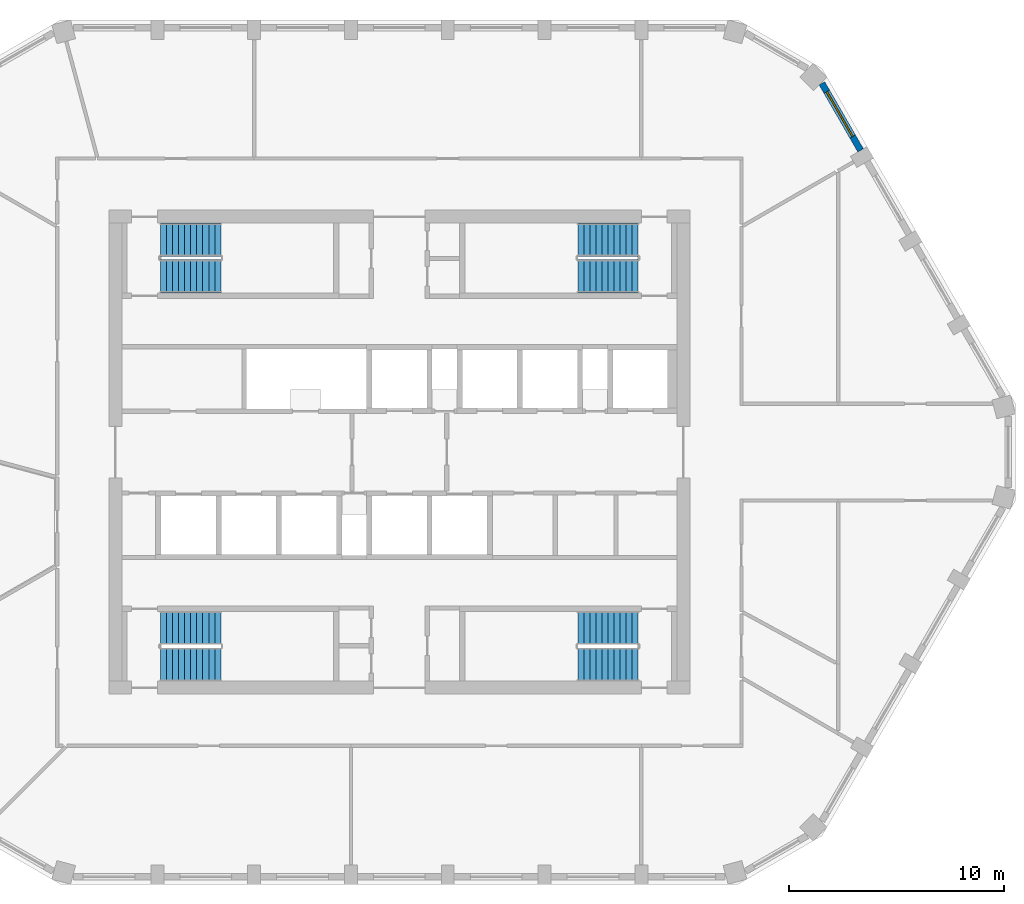
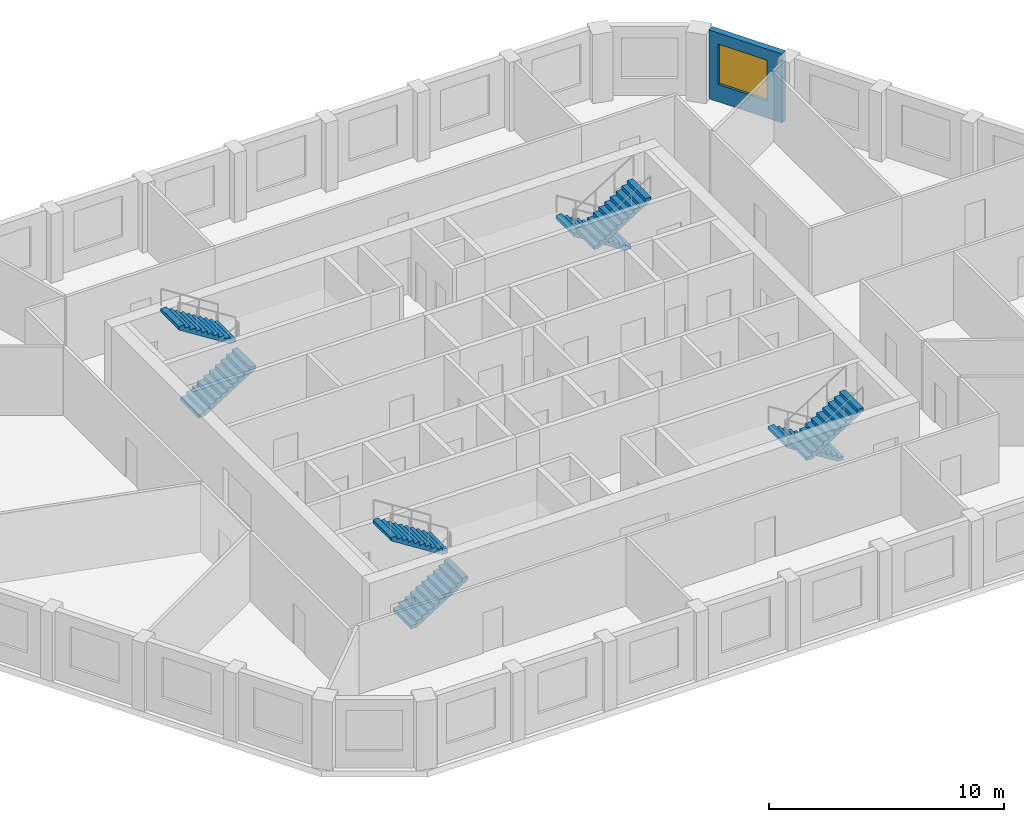
# One storey, part 7 of 9: 8 stair flights, 1 wall, 1 window, 1 opening, 4 elements without a shape of their own.
"""IFC4 building model written with IfcOpenShell, lengths in metres."""

from ifc_helpers import new_model, si_unit, direction, frame, frame_2d, origin, place, context, subcontext, project, spatial, polyline, rectangle, outline, extrude, material, layer, layer_set, type_object, element, fill, aggregate, save


model = new_model("IFC4")

# Units and contexts
model_context = context("Model", 3, precision=1e-05, world=origin(), true_north=direction((0.0, 1.0)))
body_context = subcontext(model_context, "Body", "Model", "MODEL_VIEW")
ifc_project = project(units=[si_unit("LENGTHUNIT", "METRE"), si_unit("AREAUNIT", "SQUARE_METRE"), si_unit("VOLUMEUNIT", "CUBIC_METRE"), si_unit("PLANEANGLEUNIT", "RADIAN"), si_unit("MASSUNIT", "GRAM", prefix="KILO")], contexts=[model_context])

# Site, building, storey
site_placement = place(None, origin())
site = spatial("IfcSite", under=ifc_project, at=site_placement, CompositionType="ELEMENT")
building_placement = place(site_placement, origin())
building = spatial("IfcBuilding", under=site, at=building_placement, Name="Dhurran Vertical Campus", CompositionType="ELEMENT")
storey_placement = place(building_placement, frame((0.0, 0.0, 294.300048828125)))
storey = spatial("IfcBuildingStorey", under=building, at=storey_placement, Name="L73", CompositionType="ELEMENT", Elevation=294.300048828125)

# Wall, opening, window
ifc_material_1 = material(Name="Precast concrete C50/60", Category="concrete")
ifc_layer = layer(ifc_material_1, 0.300048828125)
ifc_layer_set = layer_set([ifc_layer], Name="Precast concrete C50/60")
wall_type = type_object("IfcWallType", Name="Precast spandrel wall 300", PredefinedType="SOLIDWALL", material=ifc_layer_set)
wall_placement = place(storey_placement, frame((21.44384765625, 14.026611328125, 0.0), z_axis=(0.0, 0.0, 1.0), x_axis=(-0.50001992892, 0.866013897511, 0.0)))
wall = element("IfcWall", 1, at=wall_placement, inside=storey, type_object=wall_type, Name="EW1 L73.16", PredefinedType="SOLIDWALL", context=body_context, shape_type="SweptSolid", body=[
    extrude(rectangle(XDim=3.599365234375, YDim=0.300048828125, at=frame_2d((1.7998046875, 0.0))), origin(), (0.0, 0.0, 1.0), 3.574951171875),
])
opening_placement = place(wall_placement, frame((0.74951171875, 0.0, 0.89990234375)))
opening = element("IfcOpeningElement", 2, at=opening_placement, cuts=wall, Name="Opening WT1", PredefinedType="OPENING", context=body_context, shape_type="SweptSolid", body=[
    extrude(rectangle(XDim=2.39990234375, YDim=2.10009765625, at=frame_2d((1.199951171875, 1.050048828125))), frame((0.0, 0.159912109375, 0.0), z_axis=(0.0, -1.0, 0.0), x_axis=(1.0, 0.0, 0.0)), (0.0, 0.0, 1.0), 0.320068359375),
])
ifc_material_2 = material(Name="Aluminium frame with solar-control glass", Category="aluminium")
window_type = type_object("IfcWindowType", Name="Punched window 2400 x 2100", PartitioningType="SINGLE_PANEL", PredefinedType="WINDOW", material=ifc_material_2)
window_placement = place(opening_placement, origin())
window = element("IfcWindow", 3, at=window_placement, inside=storey, type_object=window_type, Name="WT1 L73.16", OverallHeight=2.10009765625, OverallWidth=2.39990234375, PartitioningType="SINGLE_PANEL", PredefinedType="WINDOW", context=body_context, shape_type="SweptSolid", body=[
    extrude(rectangle(XDim=2.39990234375, YDim=2.10009765625, at=frame_2d((1.199951171875, 1.050048828125))), frame((0.0, 0.030029296875, 0.0), z_axis=(0.0, -1.0, 0.0), x_axis=(1.0, 0.0, 0.0)), (0.0, 0.0, 1.0), 0.06005859375),
])
fill(opening, window)

# Stair, stair flights
ifc_material_3 = material(Name="Concrete C40/50", Category="concrete")
stair_type = type_object("IfcStairType", Name="co-ST-CORE", PredefinedType="HALF_TURN_STAIR", material=ifc_material_3)
stair_1_placement = place(storey_placement, origin())
stair_1 = element("IfcStair", 4, at=stair_1_placement, inside=storey, type_object=stair_type, Name="L73 Protected exit stair ST1", PredefinedType="HALF_TURN_STAIR")
ifc_material_4 = material(Name="Concrete C40/50", Category="concrete")
stair_flight_type = type_object("IfcStairFlightType", Name="co-SFL-RC", PredefinedType="STRAIGHT", material=ifc_material_4)
stair_flight_1_placement = place(storey_placement, frame((-11.10009765625, 8.175048828125, 0.0), z_axis=(0.0, 0.0, 1.0), x_axis=(1.0, 0.0, 0.0)))
stair_flight_1 = element("IfcStairFlight", 5, at=stair_flight_1_placement, type_object=stair_flight_type, Name="ST1 flight 1", NumberOfRisers=11, NumberOfTreads=10, PredefinedType="STRAIGHT", RiserHeight=0.177272727, TreadLength=0.28, context=body_context, shape_type="SweptSolid", body=[
    extrude(outline(polyline([(0.0, 0.0), (0.0, 0.17724609375), (0.280029296875, 0.17724609375), (0.280029296875, 0.3544921875), (0.56005859375, 0.3544921875), (0.56005859375, 0.53173828125), (0.840087890625, 0.53173828125), (0.840087890625, 0.708984375), (1.1201171875, 0.708984375), (1.1201171875, 0.886474609375), (1.39990234375, 0.886474609375), (1.39990234375, 1.063720703125), (1.679931640625, 1.063720703125), (1.679931640625, 1.240966796875), (1.9599609375, 1.240966796875), (1.9599609375, 1.418212890625), (2.239990234375, 1.418212890625), (2.239990234375, 1.595458984375), (2.52001953125, 1.595458984375), (2.52001953125, 1.772705078125), (2.800048828125, 1.772705078125), (2.800048828125, 1.949951171875), (2.800048828125, 1.59521484375), (0.2802734375, 0.0), (0.0, 0.0)])), frame((0.0, 0.77490234375, 0.0), z_axis=(0.0, -1.0, 0.0), x_axis=(1.0, 0.0, 0.0)), (0.0, 0.0, 1.0), 1.550048828125),
])
stair_flight_2_placement = place(storey_placement, frame((-8.300048828125, 9.875, 1.949951171875), z_axis=(0.0, 0.0, 1.0), x_axis=(-1.0, 0.0, 0.0)))
stair_flight_2 = element("IfcStairFlight", 6, at=stair_flight_2_placement, type_object=stair_flight_type, Name="ST1 flight 2", NumberOfRisers=11, NumberOfTreads=10, PredefinedType="STRAIGHT", RiserHeight=0.177272727, TreadLength=0.28, context=body_context, shape_type="SweptSolid", body=[
    extrude(outline(polyline([(0.0, 0.0), (0.0, 0.17724609375), (0.280029296875, 0.17724609375), (0.280029296875, 0.3544921875), (0.56005859375, 0.3544921875), (0.56005859375, 0.53173828125), (0.840087890625, 0.53173828125), (0.840087890625, 0.708984375), (1.1201171875, 0.708984375), (1.1201171875, 0.886474609375), (1.39990234375, 0.886474609375), (1.39990234375, 1.063720703125), (1.679931640625, 1.063720703125), (1.679931640625, 1.240966796875), (1.9599609375, 1.240966796875), (1.9599609375, 1.418212890625), (2.239990234375, 1.418212890625), (2.239990234375, 1.595458984375), (2.52001953125, 1.595458984375), (2.52001953125, 1.772705078125), (2.800048828125, 1.772705078125), (2.800048828125, 1.949951171875), (2.800048828125, 1.59521484375), (0.2802734375, 0.0), (0.0, 0.0)])), frame((0.0, 0.77490234375, 0.0), z_axis=(0.0, -1.0, 0.0), x_axis=(1.0, 0.0, 0.0)), (0.0, 0.0, 1.0), 1.550048828125),
])
aggregate(stair_1, [stair_flight_1, stair_flight_2])

stair_2_placement = place(storey_placement, origin())
stair_2 = element("IfcStair", 7, at=stair_2_placement, inside=storey, type_object=stair_type, Name="L73 Protected exit stair ST2", PredefinedType="HALF_TURN_STAIR")
stair_flight_3_placement = place(storey_placement, frame((11.10009765625, 9.875, 0.0), z_axis=(0.0, 0.0, 1.0), x_axis=(-1.0, 0.0, 0.0)))
stair_flight_3 = element("IfcStairFlight", 8, at=stair_flight_3_placement, type_object=stair_flight_type, Name="ST2 flight 1", NumberOfRisers=11, NumberOfTreads=10, PredefinedType="STRAIGHT", RiserHeight=0.177272727, TreadLength=0.28, context=body_context, shape_type="SweptSolid", body=[
    extrude(outline(polyline([(0.0, 0.0), (0.0, 0.17724609375), (0.280029296875, 0.17724609375), (0.280029296875, 0.3544921875), (0.56005859375, 0.3544921875), (0.56005859375, 0.53173828125), (0.840087890625, 0.53173828125), (0.840087890625, 0.708984375), (1.1201171875, 0.708984375), (1.1201171875, 0.886474609375), (1.39990234375, 0.886474609375), (1.39990234375, 1.063720703125), (1.679931640625, 1.063720703125), (1.679931640625, 1.240966796875), (1.9599609375, 1.240966796875), (1.9599609375, 1.418212890625), (2.239990234375, 1.418212890625), (2.239990234375, 1.595458984375), (2.52001953125, 1.595458984375), (2.52001953125, 1.772705078125), (2.800048828125, 1.772705078125), (2.800048828125, 1.949951171875), (2.800048828125, 1.59521484375), (0.2802734375, 0.0), (0.0, 0.0)])), frame((0.0, 0.77490234375, 0.0), z_axis=(0.0, -1.0, 0.0), x_axis=(1.0, 0.0, 0.0)), (0.0, 0.0, 1.0), 1.550048828125),
])
stair_flight_4_placement = place(storey_placement, frame((8.300048828125, 8.175048828125, 1.949951171875), z_axis=(0.0, 0.0, 1.0), x_axis=(1.0, 0.0, 0.0)))
stair_flight_4 = element("IfcStairFlight", 9, at=stair_flight_4_placement, type_object=stair_flight_type, Name="ST2 flight 2", NumberOfRisers=11, NumberOfTreads=10, PredefinedType="STRAIGHT", RiserHeight=0.177272727, TreadLength=0.28, context=body_context, shape_type="SweptSolid", body=[
    extrude(outline(polyline([(0.0, 0.0), (0.0, 0.17724609375), (0.280029296875, 0.17724609375), (0.280029296875, 0.3544921875), (0.56005859375, 0.3544921875), (0.56005859375, 0.53173828125), (0.840087890625, 0.53173828125), (0.840087890625, 0.708984375), (1.1201171875, 0.708984375), (1.1201171875, 0.886474609375), (1.39990234375, 0.886474609375), (1.39990234375, 1.063720703125), (1.679931640625, 1.063720703125), (1.679931640625, 1.240966796875), (1.9599609375, 1.240966796875), (1.9599609375, 1.418212890625), (2.239990234375, 1.418212890625), (2.239990234375, 1.595458984375), (2.52001953125, 1.595458984375), (2.52001953125, 1.772705078125), (2.800048828125, 1.772705078125), (2.800048828125, 1.949951171875), (2.800048828125, 1.59521484375), (0.2802734375, 0.0), (0.0, 0.0)])), frame((0.0, 0.77490234375, 0.0), z_axis=(0.0, -1.0, 0.0), x_axis=(1.0, 0.0, 0.0)), (0.0, 0.0, 1.0), 1.550048828125),
])
aggregate(stair_2, [stair_flight_3, stair_flight_4])

stair_3_placement = place(storey_placement, origin())
stair_3 = element("IfcStair", 10, at=stair_3_placement, inside=storey, type_object=stair_type, Name="L73 Protected exit stair ST3", PredefinedType="HALF_TURN_STAIR")
stair_flight_5_placement = place(storey_placement, frame((-11.10009765625, -9.875, 0.0), z_axis=(0.0, 0.0, 1.0), x_axis=(1.0, 0.0, 0.0)))
stair_flight_5 = element("IfcStairFlight", 11, at=stair_flight_5_placement, type_object=stair_flight_type, Name="ST3 flight 1", NumberOfRisers=11, NumberOfTreads=10, PredefinedType="STRAIGHT", RiserHeight=0.177272727, TreadLength=0.28, context=body_context, shape_type="SweptSolid", body=[
    extrude(outline(polyline([(0.0, 0.0), (0.0, 0.17724609375), (0.280029296875, 0.17724609375), (0.280029296875, 0.3544921875), (0.56005859375, 0.3544921875), (0.56005859375, 0.53173828125), (0.840087890625, 0.53173828125), (0.840087890625, 0.708984375), (1.1201171875, 0.708984375), (1.1201171875, 0.886474609375), (1.39990234375, 0.886474609375), (1.39990234375, 1.063720703125), (1.679931640625, 1.063720703125), (1.679931640625, 1.240966796875), (1.9599609375, 1.240966796875), (1.9599609375, 1.418212890625), (2.239990234375, 1.418212890625), (2.239990234375, 1.595458984375), (2.52001953125, 1.595458984375), (2.52001953125, 1.772705078125), (2.800048828125, 1.772705078125), (2.800048828125, 1.949951171875), (2.800048828125, 1.59521484375), (0.2802734375, 0.0), (0.0, 0.0)])), frame((0.0, 0.77490234375, 0.0), z_axis=(0.0, -1.0, 0.0), x_axis=(1.0, 0.0, 0.0)), (0.0, 0.0, 1.0), 1.550048828125),
])
stair_flight_6_placement = place(storey_placement, frame((-8.300048828125, -8.175048828125, 1.949951171875), z_axis=(0.0, 0.0, 1.0), x_axis=(-1.0, 0.0, 0.0)))
stair_flight_6 = element("IfcStairFlight", 12, at=stair_flight_6_placement, type_object=stair_flight_type, Name="ST3 flight 2", NumberOfRisers=11, NumberOfTreads=10, PredefinedType="STRAIGHT", RiserHeight=0.177272727, TreadLength=0.28, context=body_context, shape_type="SweptSolid", body=[
    extrude(outline(polyline([(0.0, 0.0), (0.0, 0.17724609375), (0.280029296875, 0.17724609375), (0.280029296875, 0.3544921875), (0.56005859375, 0.3544921875), (0.56005859375, 0.53173828125), (0.840087890625, 0.53173828125), (0.840087890625, 0.708984375), (1.1201171875, 0.708984375), (1.1201171875, 0.886474609375), (1.39990234375, 0.886474609375), (1.39990234375, 1.063720703125), (1.679931640625, 1.063720703125), (1.679931640625, 1.240966796875), (1.9599609375, 1.240966796875), (1.9599609375, 1.418212890625), (2.239990234375, 1.418212890625), (2.239990234375, 1.595458984375), (2.52001953125, 1.595458984375), (2.52001953125, 1.772705078125), (2.800048828125, 1.772705078125), (2.800048828125, 1.949951171875), (2.800048828125, 1.59521484375), (0.2802734375, 0.0), (0.0, 0.0)])), frame((0.0, 0.77490234375, 0.0), z_axis=(0.0, -1.0, 0.0), x_axis=(1.0, 0.0, 0.0)), (0.0, 0.0, 1.0), 1.550048828125),
])
aggregate(stair_3, [stair_flight_5, stair_flight_6])

stair_4_placement = place(storey_placement, origin())
stair_4 = element("IfcStair", 13, at=stair_4_placement, inside=storey, type_object=stair_type, Name="L73 Protected exit stair ST4", PredefinedType="HALF_TURN_STAIR")
stair_flight_7_placement = place(storey_placement, frame((11.10009765625, -8.175048828125, 0.0), z_axis=(0.0, 0.0, 1.0), x_axis=(-1.0, 0.0, 0.0)))
stair_flight_7 = element("IfcStairFlight", 14, at=stair_flight_7_placement, type_object=stair_flight_type, Name="ST4 flight 1", NumberOfRisers=11, NumberOfTreads=10, PredefinedType="STRAIGHT", RiserHeight=0.177272727, TreadLength=0.28, context=body_context, shape_type="SweptSolid", body=[
    extrude(outline(polyline([(0.0, 0.0), (0.0, 0.17724609375), (0.280029296875, 0.17724609375), (0.280029296875, 0.3544921875), (0.56005859375, 0.3544921875), (0.56005859375, 0.53173828125), (0.840087890625, 0.53173828125), (0.840087890625, 0.708984375), (1.1201171875, 0.708984375), (1.1201171875, 0.886474609375), (1.39990234375, 0.886474609375), (1.39990234375, 1.063720703125), (1.679931640625, 1.063720703125), (1.679931640625, 1.240966796875), (1.9599609375, 1.240966796875), (1.9599609375, 1.418212890625), (2.239990234375, 1.418212890625), (2.239990234375, 1.595458984375), (2.52001953125, 1.595458984375), (2.52001953125, 1.772705078125), (2.800048828125, 1.772705078125), (2.800048828125, 1.949951171875), (2.800048828125, 1.59521484375), (0.2802734375, 0.0), (0.0, 0.0)])), frame((0.0, 0.77490234375, 0.0), z_axis=(0.0, -1.0, 0.0), x_axis=(1.0, 0.0, 0.0)), (0.0, 0.0, 1.0), 1.550048828125),
])
stair_flight_8_placement = place(storey_placement, frame((8.300048828125, -9.875, 1.949951171875), z_axis=(0.0, 0.0, 1.0), x_axis=(1.0, 0.0, 0.0)))
stair_flight_8 = element("IfcStairFlight", 15, at=stair_flight_8_placement, type_object=stair_flight_type, Name="ST4 flight 2", NumberOfRisers=11, NumberOfTreads=10, PredefinedType="STRAIGHT", RiserHeight=0.177272727, TreadLength=0.28, context=body_context, shape_type="SweptSolid", body=[
    extrude(outline(polyline([(0.0, 0.0), (0.0, 0.17724609375), (0.280029296875, 0.17724609375), (0.280029296875, 0.3544921875), (0.56005859375, 0.3544921875), (0.56005859375, 0.53173828125), (0.840087890625, 0.53173828125), (0.840087890625, 0.708984375), (1.1201171875, 0.708984375), (1.1201171875, 0.886474609375), (1.39990234375, 0.886474609375), (1.39990234375, 1.063720703125), (1.679931640625, 1.063720703125), (1.679931640625, 1.240966796875), (1.9599609375, 1.240966796875), (1.9599609375, 1.418212890625), (2.239990234375, 1.418212890625), (2.239990234375, 1.595458984375), (2.52001953125, 1.595458984375), (2.52001953125, 1.772705078125), (2.800048828125, 1.772705078125), (2.800048828125, 1.949951171875), (2.800048828125, 1.59521484375), (0.2802734375, 0.0), (0.0, 0.0)])), frame((0.0, 0.77490234375, 0.0), z_axis=(0.0, -1.0, 0.0), x_axis=(1.0, 0.0, 0.0)), (0.0, 0.0, 1.0), 1.550048828125),
])
aggregate(stair_4, [stair_flight_7, stair_flight_8])

save(model, "model.ifc")
